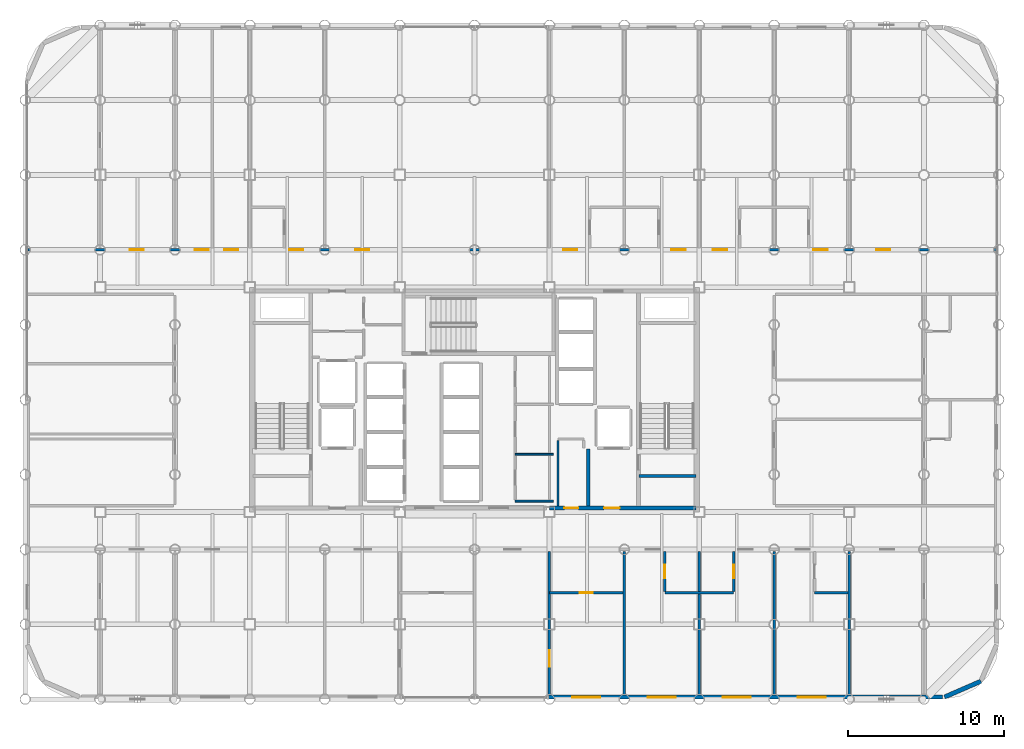
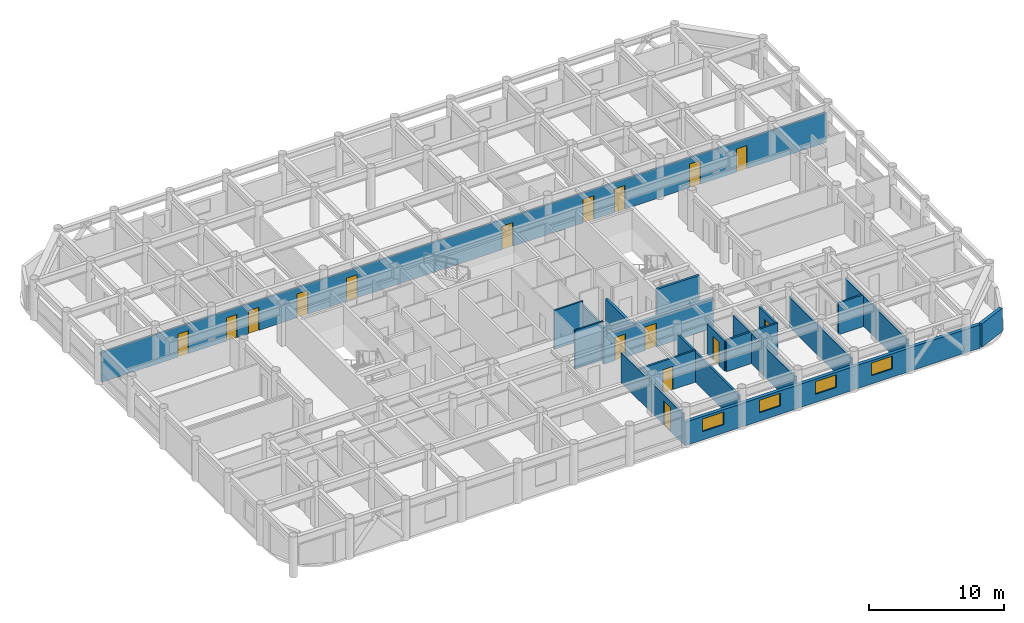
# One storey, part 19 of 22: 19 walls, 16 doors, 4 windows, 20 openings.
"""IFC4 building model written with IfcOpenShell, lengths in metres."""

from ifc_helpers import new_model, si_unit, direction, frame, frame_2d, origin, place, context, subcontext, project, spatial, rectangle, extrude, material, layer, layer_set, type_object, element, fill, save


model = new_model("IFC4")

# Units and contexts
model_context = context("Model", 3, precision=1e-05, world=origin(), true_north=direction((0.0, 1.0)))
body_context = subcontext(model_context, "Body", "Model", "MODEL_VIEW")
ifc_project = project(units=[si_unit("LENGTHUNIT", "METRE"), si_unit("AREAUNIT", "SQUARE_METRE"), si_unit("VOLUMEUNIT", "CUBIC_METRE"), si_unit("PLANEANGLEUNIT", "RADIAN"), si_unit("MASSUNIT", "GRAM", prefix="KILO")], contexts=[model_context])

# Site, building, storey
site_placement = place(None, origin())
site = spatial("IfcSite", under=ifc_project, at=site_placement, CompositionType="ELEMENT")
building_placement = place(site_placement, origin())
building = spatial("IfcBuilding", under=site, at=building_placement, Name="Kallvorn Hotel Tower", CompositionType="ELEMENT")
storey_placement = place(building_placement, frame((0.0, 0.0, 117.39990234375)))
storey = spatial("IfcBuildingStorey", under=building, at=storey_placement, Name="L28", CompositionType="ELEMENT", Elevation=117.39990234375)

# Wall, opening, door
ifc_material_1 = material(Name="Fire-rated double-layer acoustic gypsum drywall EI 60")
ifc_layer_1 = layer(ifc_material_1, 0.159912109375)
ifc_layer_set_1 = layer_set([ifc_layer_1], Name="WL_DEMISE_160")
wall_type_1 = type_object("IfcWallType", Name="WL_DEMISE_160", PredefinedType="PARTITIONING", material=ifc_layer_set_1)
wall_1_placement = place(storey_placement, frame((4.800048828125, -12.3798828125, 0.0), z_axis=(0.0, 0.0, 1.0), x_axis=(1.0, 0.0, 0.0)))
wall_1 = element("IfcWall", 1, at=wall_1_placement, inside=storey, type_object=wall_type_1, Name="L28 Suite 2804 Executive Bedroom Partition", PredefinedType="PARTITIONING", context=body_context, shape_type="SweptSolid", body=[
    extrude(rectangle(XDim=4.719970703125, YDim=0.159912109375, at=frame_2d((2.35986328125, 0.0))), origin(), (0.0, 0.0, 1.0), 2.8701171875),
])
opening_1_placement = place(wall_1_placement, frame((1.929931640625, 0.0, 0.0)))
opening_1 = element("IfcOpeningElement", 2, at=opening_1_placement, cuts=wall_1, Name="Opening BD-I", PredefinedType="OPENING", context=body_context, shape_type="SweptSolid", body=[
    extrude(rectangle(XDim=0.860107421875, YDim=2.10009765625, at=frame_2d((0.43017578125, 1.050048828125))), frame((0.0, 0.094970703125, 0.0), z_axis=(0.0, -1.0, 0.0), x_axis=(1.0, 0.0, 0.0)), (0.0, 0.0, 1.0), 0.18994140625),
])
ifc_material_2 = material(Name="Solid-core walnut veneer fire-rated timber door leaf", Category="wood")
door_type_1 = type_object("IfcDoorType", Name="DR_BATH_860x2100", OperationType="NOTDEFINED", PredefinedType="DOOR", material=ifc_material_2)
door_1_placement = place(opening_1_placement, origin())
door_1 = element("IfcDoor", 3, at=door_1_placement, inside=storey, type_object=door_type_1, Name="L28 Suite 2804 En-Suite Bathroom Door", OperationType="SINGLE_SWING_LEFT", OverallHeight=2.10009765625, OverallWidth=0.860107421875, PredefinedType="DOOR", context=body_context, shape_type="SweptSolid", body=[
    extrude(rectangle(XDim=0.860107421875, YDim=2.10009765625, at=frame_2d((0.43017578125, 1.050048828125))), frame((0.0, 0.02490234375, 0.0), z_axis=(0.0, -1.0, 0.0), x_axis=(1.0, 0.0, 0.0)), (0.0, 0.0, 1.0), 0.050048828125),
])
fill(opening_1, door_1)

# Walls
wall_2_placement = place(storey_placement, frame((12.18994140625, -12.3798828125, 0.0), z_axis=(0.0, 0.0, 1.0), x_axis=(1.0, 0.0, 0.0)))
element("IfcWall", 4, at=wall_2_placement, inside=storey, type_object=wall_type_1, Name="L28 Suite 2805 Deluxe King Room Partition", PredefinedType="PARTITIONING", context=body_context, shape_type="SweptSolid", body=[
    extrude(rectangle(XDim=4.420166015625, YDim=0.159912109375, at=frame_2d((2.2099609375, 0.0))), origin(), (0.0, 0.0, 1.0), 2.8701171875),
])
wall_3_placement = place(storey_placement, frame((21.7900390625, -12.3798828125, 0.0), z_axis=(0.0, 0.0, 1.0), x_axis=(1.0, 0.0, 0.0)))
element("IfcWall", 5, at=wall_3_placement, inside=storey, type_object=wall_type_1, Name="L28 Suite 2807 Deluxe King Room Partition", PredefinedType="PARTITIONING", context=body_context, shape_type="SweptSolid", body=[
    extrude(rectangle(XDim=2.1298828125, YDim=0.159912109375, at=frame_2d((1.06494140625, 0.0))), origin(), (0.0, 0.0, 1.0), 2.8701171875),
])

# Wall, openings, doors
wall_4_placement = place(storey_placement, frame((-28.6298828125, 9.60009765625, 0.0), z_axis=(0.0, 0.0, 1.0), x_axis=(1.0, 0.0, 0.0)))
wall_4 = element("IfcWall", 6, at=wall_4_placement, inside=storey, type_object=wall_type_1, Name="L28 Suite 2808 Standard Twin Room Partition", PredefinedType="PARTITIONING", context=body_context, shape_type="SweptSolid", body=[
    extrude(rectangle(XDim=62.059814453125, YDim=0.159912109375, at=frame_2d((31.02978515625, 0.0))), origin(), (0.0, 0.0, 1.0), 2.72021484375),
])
opening_2_placement = place(wall_4_placement, frame((6.5400390625, 0.0, 0.0)))
opening_2 = element("IfcOpeningElement", 7, at=opening_2_placement, cuts=wall_4, Name="Opening SVD1", PredefinedType="OPENING", context=body_context, shape_type="SweptSolid", body=[
    extrude(rectangle(XDim=0.89990234375, YDim=2.10009765625, at=frame_2d((0.449951171875, 1.050048828125))), frame((0.0, 0.094970703125, 0.0), z_axis=(0.0, -1.0, 0.0), x_axis=(1.0, 0.0, 0.0)), (0.0, 0.0, 1.0), 0.18994140625),
])
opening_3_placement = place(wall_4_placement, frame((54.360595703125, 0.0, 0.0)))
opening_3 = element("IfcOpeningElement", 8, at=opening_3_placement, cuts=wall_4, Name="Opening SVD1", PredefinedType="OPENING", context=body_context, shape_type="SweptSolid", body=[
    extrude(rectangle(XDim=0.89990234375, YDim=2.10009765625, at=frame_2d((0.449951171875, 1.050048828125))), frame((0.0, 0.094970703125, 0.0), z_axis=(0.0, -1.0, 0.0), x_axis=(1.0, 0.0, 0.0)), (0.0, 0.0, 1.0), 0.18994140625),
])
opening_4_placement = place(wall_4_placement, frame((10.68994140625, 0.0, 0.0)))
opening_4 = element("IfcOpeningElement", 9, at=opening_4_placement, cuts=wall_4, Name="Opening SVD1", PredefinedType="OPENING", context=body_context, shape_type="SweptSolid", body=[
    extrude(rectangle(XDim=0.89990234375, YDim=2.10009765625, at=frame_2d((0.449951171875, 1.050048828125))), frame((0.0, 0.094970703125, 0.0), z_axis=(0.0, -1.0, 0.0), x_axis=(1.0, 0.0, 0.0)), (0.0, 0.0, 1.0), 0.18994140625),
])
opening_5_placement = place(wall_4_placement, frame((12.580078125, 0.0, 0.0)))
opening_5 = element("IfcOpeningElement", 10, at=opening_5_placement, cuts=wall_4, Name="Opening SVD1", PredefinedType="OPENING", context=body_context, shape_type="SweptSolid", body=[
    extrude(rectangle(XDim=0.89990234375, YDim=2.10009765625, at=frame_2d((0.449951171875, 1.050048828125))), frame((0.0, 0.094970703125, 0.0), z_axis=(0.0, -1.0, 0.0), x_axis=(1.0, 0.0, 0.0)), (0.0, 0.0, 1.0), 0.18994140625),
])
opening_6_placement = place(wall_4_placement, frame((16.739990234375, 0.0, 0.0)))
opening_6 = element("IfcOpeningElement", 11, at=opening_6_placement, cuts=wall_4, Name="Opening GD1", PredefinedType="OPENING", context=body_context, shape_type="SweptSolid", body=[
    extrude(rectangle(XDim=0.919921875, YDim=2.14990234375, at=frame_2d((0.4599609375, 1.074951171875))), frame((0.0, 0.094970703125, 0.0), z_axis=(0.0, -1.0, 0.0), x_axis=(1.0, 0.0, 0.0)), (0.0, 0.0, 1.0), 0.18994140625),
])
opening_7_placement = place(wall_4_placement, frame((20.97998046875, 0.0, 0.0)))
opening_7 = element("IfcOpeningElement", 12, at=opening_7_placement, cuts=wall_4, Name="Opening SVD1", PredefinedType="OPENING", context=body_context, shape_type="SweptSolid", body=[
    extrude(rectangle(XDim=0.89990234375, YDim=2.10009765625, at=frame_2d((0.449951171875, 1.050048828125))), frame((0.0, 0.094970703125, 0.0), z_axis=(0.0, -1.0, 0.0), x_axis=(1.0, 0.0, 0.0)), (0.0, 0.0, 1.0), 0.18994140625),
])
opening_8_placement = place(wall_4_placement, frame((34.304931640625, 0.0, 0.0)))
opening_8 = element("IfcOpeningElement", 13, at=opening_8_placement, cuts=wall_4, Name="Opening GD1", PredefinedType="OPENING", context=body_context, shape_type="SweptSolid", body=[
    extrude(rectangle(XDim=0.919921875, YDim=2.14990234375, at=frame_2d((0.4599609375, 1.074951171875))), frame((0.0, 0.094970703125, 0.0), z_axis=(0.0, -1.0, 0.0), x_axis=(1.0, 0.0, 0.0)), (0.0, 0.0, 1.0), 0.18994140625),
])
opening_9_placement = place(wall_4_placement, frame((41.235107421875, 0.0, 0.0)))
opening_9 = element("IfcOpeningElement", 14, at=opening_9_placement, cuts=wall_4, Name="Opening GD1", PredefinedType="OPENING", context=body_context, shape_type="SweptSolid", body=[
    extrude(rectangle(XDim=0.919921875, YDim=2.14990234375, at=frame_2d((0.4599609375, 1.074951171875))), frame((0.0, 0.094970703125, 0.0), z_axis=(0.0, -1.0, 0.0), x_axis=(1.0, 0.0, 0.0)), (0.0, 0.0, 1.0), 0.18994140625),
])
opening_10_placement = place(wall_4_placement, frame((43.905029296875, 0.0, 0.0)))
opening_10 = element("IfcOpeningElement", 15, at=opening_10_placement, cuts=wall_4, Name="Opening GD1", PredefinedType="OPENING", context=body_context, shape_type="SweptSolid", body=[
    extrude(rectangle(XDim=0.919921875, YDim=2.14990234375, at=frame_2d((0.4599609375, 1.074951171875))), frame((0.0, 0.094970703125, 0.0), z_axis=(0.0, -1.0, 0.0), x_axis=(1.0, 0.0, 0.0)), (0.0, 0.0, 1.0), 0.18994140625),
])
opening_11_placement = place(wall_4_placement, frame((50.340087890625, 0.0, 0.0)))
opening_11 = element("IfcOpeningElement", 16, at=opening_11_placement, cuts=wall_4, Name="Opening GD1", PredefinedType="OPENING", context=body_context, shape_type="SweptSolid", body=[
    extrude(rectangle(XDim=0.919921875, YDim=2.14990234375, at=frame_2d((0.4599609375, 1.074951171875))), frame((0.0, 0.094970703125, 0.0), z_axis=(0.0, -1.0, 0.0), x_axis=(1.0, 0.0, 0.0)), (0.0, 0.0, 1.0), 0.18994140625),
])
ifc_material_3 = material(Name="Solid-core walnut veneer fire-rated timber door leaf", Category="wood")
door_type_2 = type_object("IfcDoorType", Name="DR_GUEST_920x2150", OperationType="NOTDEFINED", PredefinedType="DOOR", material=ifc_material_3)
door_2_placement = place(opening_6_placement, origin())
door_2 = element("IfcDoor", 17, at=door_2_placement, inside=storey, type_object=door_type_2, Name="L28 Suite 2808 Standard Twin Room Door", OperationType="SINGLE_SWING_RIGHT", OverallHeight=2.14990234375, OverallWidth=0.919921875, PredefinedType="DOOR", context=body_context, shape_type="SweptSolid", body=[
    extrude(rectangle(XDim=0.919921875, YDim=2.14990234375, at=frame_2d((0.4599609375, 1.074951171875))), frame((0.0, 0.02490234375, 0.0), z_axis=(0.0, -1.0, 0.0), x_axis=(1.0, 0.0, 0.0)), (0.0, 0.0, 1.0), 0.050048828125),
])
fill(opening_6, door_2)
door_3_placement = place(opening_8_placement, origin())
door_3 = element("IfcDoor", 18, at=door_3_placement, inside=storey, type_object=door_type_2, Name="L28 Suite 2809 Standard Twin Room Door", OperationType="SINGLE_SWING_LEFT", OverallHeight=2.14990234375, OverallWidth=0.919921875, PredefinedType="DOOR", context=body_context, shape_type="SweptSolid", body=[
    extrude(rectangle(XDim=0.919921875, YDim=2.14990234375, at=frame_2d((0.4599609375, 1.074951171875))), frame((0.0, 0.02490234375, 0.0), z_axis=(0.0, -1.0, 0.0), x_axis=(1.0, 0.0, 0.0)), (0.0, 0.0, 1.0), 0.050048828125),
])
fill(opening_8, door_3)
door_4_placement = place(opening_9_placement, origin())
door_4 = element("IfcDoor", 19, at=door_4_placement, inside=storey, type_object=door_type_2, Name="L28 Suite 2810 Standard Twin Room Door", OperationType="SINGLE_SWING_RIGHT", OverallHeight=2.14990234375, OverallWidth=0.919921875, PredefinedType="DOOR", context=body_context, shape_type="SweptSolid", body=[
    extrude(rectangle(XDim=0.919921875, YDim=2.14990234375, at=frame_2d((0.4599609375, 1.074951171875))), frame((0.0, 0.02490234375, 0.0), z_axis=(0.0, -1.0, 0.0), x_axis=(1.0, 0.0, 0.0)), (0.0, 0.0, 1.0), 0.050048828125),
])
fill(opening_9, door_4)
door_5_placement = place(opening_10_placement, origin())
door_5 = element("IfcDoor", 20, at=door_5_placement, inside=storey, type_object=door_type_2, Name="L28 Suite 2811 Standard Twin Room Door", OperationType="SINGLE_SWING_LEFT", OverallHeight=2.14990234375, OverallWidth=0.919921875, PredefinedType="DOOR", context=body_context, shape_type="SweptSolid", body=[
    extrude(rectangle(XDim=0.919921875, YDim=2.14990234375, at=frame_2d((0.4599609375, 1.074951171875))), frame((0.0, 0.02490234375, 0.0), z_axis=(0.0, -1.0, 0.0), x_axis=(1.0, 0.0, 0.0)), (0.0, 0.0, 1.0), 0.050048828125),
])
fill(opening_10, door_5)
door_6_placement = place(opening_11_placement, origin())
door_6 = element("IfcDoor", 21, at=door_6_placement, inside=storey, type_object=door_type_2, Name="L28 Suite 2812 Standard Twin Room Door", OperationType="SINGLE_SWING_RIGHT", OverallHeight=2.14990234375, OverallWidth=0.919921875, PredefinedType="DOOR", context=body_context, shape_type="SweptSolid", body=[
    extrude(rectangle(XDim=0.919921875, YDim=2.14990234375, at=frame_2d((0.4599609375, 1.074951171875))), frame((0.0, 0.02490234375, 0.0), z_axis=(0.0, -1.0, 0.0), x_axis=(1.0, 0.0, 0.0)), (0.0, 0.0, 1.0), 0.050048828125),
])
fill(opening_11, door_6)
ifc_material_4 = material(Name="Galvanised painted steel fire-rated door assembly", Category="steel")
door_type_3 = type_object("IfcDoorType", Name="DR_SERV_900x2100", OperationType="NOTDEFINED", PredefinedType="DOOR", material=ifc_material_4)
door_7_placement = place(opening_2_placement, origin())
door_7 = element("IfcDoor", 22, at=door_7_placement, inside=storey, type_object=door_type_3, Name="L28 L28 North-West Fitness Gymnasium B Door", OperationType="SINGLE_SWING_LEFT", OverallHeight=2.10009765625, OverallWidth=0.89990234375, PredefinedType="DOOR", context=body_context, shape_type="SweptSolid", body=[
    extrude(rectangle(XDim=0.89990234375, YDim=2.10009765625, at=frame_2d((0.449951171875, 1.050048828125))), frame((0.0, 0.02490234375, 0.0), z_axis=(0.0, -1.0, 0.0), x_axis=(1.0, 0.0, 0.0)), (0.0, 0.0, 1.0), 0.050048828125),
])
fill(opening_2, door_7)
door_8_placement = place(opening_3_placement, origin())
door_8 = element("IfcDoor", 23, at=door_8_placement, inside=storey, type_object=door_type_3, Name="L28 L28 North-East Reading Club Door", OperationType="SINGLE_SWING_LEFT", OverallHeight=2.10009765625, OverallWidth=0.89990234375, PredefinedType="DOOR", context=body_context, shape_type="SweptSolid", body=[
    extrude(rectangle(XDim=0.89990234375, YDim=2.10009765625, at=frame_2d((0.449951171875, 1.050048828125))), frame((0.0, 0.02490234375, 0.0), z_axis=(0.0, -1.0, 0.0), x_axis=(1.0, 0.0, 0.0)), (0.0, 0.0, 1.0), 0.050048828125),
])
fill(opening_3, door_8)
door_9_placement = place(opening_4_placement, origin())
door_9 = element("IfcDoor", 24, at=door_9_placement, inside=storey, type_object=door_type_3, Name="L28 Housekeeping and Linen Room Door", OperationType="SINGLE_SWING_LEFT", OverallHeight=2.10009765625, OverallWidth=0.89990234375, PredefinedType="DOOR", context=body_context, shape_type="SweptSolid", body=[
    extrude(rectangle(XDim=0.89990234375, YDim=2.10009765625, at=frame_2d((0.449951171875, 1.050048828125))), frame((0.0, 0.02490234375, 0.0), z_axis=(0.0, -1.0, 0.0), x_axis=(1.0, 0.0, 0.0)), (0.0, 0.0, 1.0), 0.050048828125),
])
fill(opening_4, door_9)
door_10_placement = place(opening_5_placement, origin())
door_10 = element("IfcDoor", 25, at=door_10_placement, inside=storey, type_object=door_type_3, Name="L28 Guest Tea and Refreshment Bar Door", OperationType="SINGLE_SWING_LEFT", OverallHeight=2.10009765625, OverallWidth=0.89990234375, PredefinedType="DOOR", context=body_context, shape_type="SweptSolid", body=[
    extrude(rectangle(XDim=0.89990234375, YDim=2.10009765625, at=frame_2d((0.449951171875, 1.050048828125))), frame((0.0, 0.02490234375, 0.0), z_axis=(0.0, -1.0, 0.0), x_axis=(1.0, 0.0, 0.0)), (0.0, 0.0, 1.0), 0.050048828125),
])
fill(opening_5, door_10)
door_11_placement = place(opening_7_placement, origin())
door_11 = element("IfcDoor", 26, at=door_11_placement, inside=storey, type_object=door_type_3, Name="L28 L28 Thermal Hydrotherapy Treatment Suite 3 Door", OperationType="SINGLE_SWING_RIGHT", OverallHeight=2.10009765625, OverallWidth=0.89990234375, PredefinedType="DOOR", context=body_context, shape_type="SweptSolid", body=[
    extrude(rectangle(XDim=0.89990234375, YDim=2.10009765625, at=frame_2d((0.449951171875, 1.050048828125))), frame((0.0, 0.02490234375, 0.0), z_axis=(0.0, -1.0, 0.0), x_axis=(1.0, 0.0, 0.0)), (0.0, 0.0, 1.0), 0.050048828125),
])
fill(opening_7, door_11)

# Wall, opening, door
wall_5_placement = place(storey_placement, frame((4.800048828125, -18.909912109375, 0.0), z_axis=(0.0, 0.0, 1.0), x_axis=(0.0, 1.0, 0.0)))
wall_5 = element("IfcWall", 27, at=wall_5_placement, inside=storey, type_object=wall_type_1, Name="L28 Suite 2804 Executive Bedroom Partition", PredefinedType="PARTITIONING", context=body_context, shape_type="SweptSolid", body=[
    extrude(rectangle(XDim=9.18994140625, YDim=0.159912109375, at=frame_2d((4.594970703125, 0.0))), origin(), (0.0, 0.0, 1.0), 2.72021484375),
])
opening_12_placement = place(wall_5_placement, frame((1.79296875, 0.0, 0.0)))
opening_12 = element("IfcOpeningElement", 28, at=opening_12_placement, cuts=wall_5, Name="Opening GD2", PredefinedType="OPENING", context=body_context, shape_type="SweptSolid", body=[
    extrude(rectangle(XDim=1.050048828125, YDim=2.199951171875, at=frame_2d((0.52490234375, 1.10009765625))), frame((0.0, 0.094970703125, 0.0), z_axis=(0.0, -1.0, 0.0), x_axis=(1.0, 0.0, 0.0)), (0.0, 0.0, 1.0), 0.18994140625),
])
ifc_material_5 = material(Name="Solid-core walnut veneer fire-rated timber door leaf", Category="wood")
door_type_4 = type_object("IfcDoorType", Name="DR_SUITE_1050x2200", OperationType="NOTDEFINED", PredefinedType="DOOR", material=ifc_material_5)
door_12_placement = place(opening_12_placement, origin())
door_12 = element("IfcDoor", 29, at=door_12_placement, inside=storey, type_object=door_type_4, Name="L28 Suite 2804 Executive Bedroom Door", OperationType="SINGLE_SWING_LEFT", OverallHeight=2.199951171875, OverallWidth=1.050048828125, PredefinedType="DOOR", context=body_context, shape_type="SweptSolid", body=[
    extrude(rectangle(XDim=1.050048828125, YDim=2.199951171875, at=frame_2d((0.52490234375, 1.10009765625))), frame((0.0, 0.02490234375, 0.0), z_axis=(0.0, -1.0, 0.0), x_axis=(1.0, 0.0, 0.0)), (0.0, 0.0, 1.0), 0.050048828125),
])
fill(opening_12, door_12)

# Wall
wall_6_placement = place(storey_placement, frame((9.60009765625, -18.909912109375, 0.0), z_axis=(0.0, 0.0, 1.0), x_axis=(0.0, 1.0, 0.0)))
element("IfcWall", 30, at=wall_6_placement, inside=storey, type_object=wall_type_1, Name="L28 Suite 2804 Executive Bedroom Partition", PredefinedType="PARTITIONING", context=body_context, shape_type="SweptSolid", body=[
    extrude(rectangle(XDim=9.18994140625, YDim=0.159912109375, at=frame_2d((4.594970703125, 0.0))), origin(), (0.0, 0.0, 1.0), 2.72021484375),
])

# Wall, opening, door
wall_7_placement = place(storey_placement, frame((12.18994140625, -12.294921875, 0.0), z_axis=(0.0, 0.0, 1.0), x_axis=(0.0, 1.0, 0.0)))
wall_7 = element("IfcWall", 31, at=wall_7_placement, inside=storey, type_object=wall_type_1, Name="L28 Suite 2805 Deluxe King Room Partition", PredefinedType="PARTITIONING", context=body_context, shape_type="SweptSolid", body=[
    extrude(rectangle(XDim=2.574951171875, YDim=0.159912109375, at=frame_2d((1.28759765625, 0.0))), origin(), (0.0, 0.0, 1.0), 2.72021484375),
])
opening_13_placement = place(wall_7_placement, frame((0.844970703125, 0.0, 0.0)))
opening_13 = element("IfcOpeningElement", 32, at=opening_13_placement, cuts=wall_7, Name="Opening BD-I", PredefinedType="OPENING", context=body_context, shape_type="SweptSolid", body=[
    extrude(rectangle(XDim=0.860107421875, YDim=2.10009765625, at=frame_2d((0.43017578125, 1.050048828125))), frame((0.0, 0.094970703125, 0.0), z_axis=(0.0, -1.0, 0.0), x_axis=(1.0, 0.0, 0.0)), (0.0, 0.0, 1.0), 0.18994140625),
])
door_13_placement = place(opening_13_placement, origin())
door_13 = element("IfcDoor", 33, at=door_13_placement, inside=storey, type_object=door_type_1, Name="L28 Suite 2805 En-Suite Bathroom Door", OperationType="SINGLE_SWING_RIGHT", OverallHeight=2.10009765625, OverallWidth=0.860107421875, PredefinedType="DOOR", context=body_context, shape_type="SweptSolid", body=[
    extrude(rectangle(XDim=0.860107421875, YDim=2.10009765625, at=frame_2d((0.43017578125, 1.050048828125))), frame((0.0, 0.02490234375, 0.0), z_axis=(0.0, -1.0, 0.0), x_axis=(1.0, 0.0, 0.0)), (0.0, 0.0, 1.0), 0.050048828125),
])
fill(opening_13, door_13)

# Wall
wall_8_placement = place(storey_placement, frame((14.39990234375, -18.909912109375, 0.0), z_axis=(0.0, 0.0, 1.0), x_axis=(0.0, 1.0, 0.0)))
element("IfcWall", 34, at=wall_8_placement, inside=storey, type_object=wall_type_1, Name="L28 Suite 2805 Deluxe King Room Partition", PredefinedType="PARTITIONING", context=body_context, shape_type="SweptSolid", body=[
    extrude(rectangle(XDim=9.18994140625, YDim=0.159912109375, at=frame_2d((4.594970703125, 0.0))), origin(), (0.0, 0.0, 1.0), 2.72021484375),
])

# Wall, opening, door
wall_9_placement = place(storey_placement, frame((16.610107421875, -12.294921875, 0.0), z_axis=(0.0, 0.0, 1.0), x_axis=(0.0, 1.0, 0.0)))
wall_9 = element("IfcWall", 35, at=wall_9_placement, inside=storey, type_object=wall_type_1, Name="L28 Suite 2806 Deluxe King Room Partition", PredefinedType="PARTITIONING", context=body_context, shape_type="SweptSolid", body=[
    extrude(rectangle(XDim=2.574951171875, YDim=0.159912109375, at=frame_2d((1.28759765625, 0.0))), origin(), (0.0, 0.0, 1.0), 2.72021484375),
])
opening_14_placement = place(wall_9_placement, frame((0.844970703125, 0.0, 0.0)))
opening_14 = element("IfcOpeningElement", 36, at=opening_14_placement, cuts=wall_9, Name="Opening BD-I", PredefinedType="OPENING", context=body_context, shape_type="SweptSolid", body=[
    extrude(rectangle(XDim=0.860107421875, YDim=2.10009765625, at=frame_2d((0.43017578125, 1.050048828125))), frame((0.0, 0.094970703125, 0.0), z_axis=(0.0, -1.0, 0.0), x_axis=(1.0, 0.0, 0.0)), (0.0, 0.0, 1.0), 0.18994140625),
])
door_14_placement = place(opening_14_placement, origin())
door_14 = element("IfcDoor", 37, at=door_14_placement, inside=storey, type_object=door_type_1, Name="L28 Suite 2806 En-Suite Bathroom Door", OperationType="SINGLE_SWING_LEFT", OverallHeight=2.10009765625, OverallWidth=0.860107421875, PredefinedType="DOOR", context=body_context, shape_type="SweptSolid", body=[
    extrude(rectangle(XDim=0.860107421875, YDim=2.10009765625, at=frame_2d((0.43017578125, 1.050048828125))), frame((0.0, 0.02490234375, 0.0), z_axis=(0.0, -1.0, 0.0), x_axis=(1.0, 0.0, 0.0)), (0.0, 0.0, 1.0), 0.050048828125),
])
fill(opening_14, door_14)

# Walls
for number, where, z_axis, x_axis, name in (
    (38, (19.199951171875, -18.909912109375, 0.0), (0.0, 0.0, 1.0), (0.0, 1.0, 0.0), "L28 Suite 2806 Deluxe King Room Partition"),
    (39, (24.0, -18.909912109375, 0.0), (0.0, 0.0, 1.0), (0.0, 1.0, 0.0), "L28 Suite 2807 Deluxe King Room Partition"),
):
    element("IfcWall", number, at=place(storey_placement, frame(where, z_axis=z_axis, x_axis=x_axis)), inside=storey, type_object=wall_type_1, Name=name, PredefinedType="PARTITIONING", context=body_context, shape_type="SweptSolid", body=[
        extrude(rectangle(XDim=9.18994140625, YDim=0.159912109375, at=frame_2d((4.594970703125, 0.0))), origin(), (0.0, 0.0, 1.0), 2.72021484375),
    ])
ifc_material_6 = material(Name="Precast basalt-clad insulated concrete wall C40/50", Category="masonry")
ifc_layer_2 = layer(ifc_material_6, 0.280029296875)
ifc_layer_set_2 = layer_set([ifc_layer_2], Name="WL_EXT_LOGGIA_280")
wall_type_2 = type_object("IfcWallType", Name="WL_EXT_LOGGIA_280", PredefinedType="SOLIDWALL", material=ifc_layer_set_2)
wall_10_placement = place(storey_placement, frame((30.120849609375, -19.057861328125, 0.0), z_axis=(0.0, 0.0, 1.0), x_axis=(0.917060872934, 0.398747232384, 0.0)))
element("IfcWall", 40, at=wall_10_placement, inside=storey, type_object=wall_type_2, Name="L28 Rounded Corner Exterior Wall SE1", PredefinedType="SOLIDWALL", context=body_context, shape_type="SweptSolid", body=[
    extrude(rectangle(XDim=2.5361328125, YDim=0.280029296875, at=frame_2d((1.26806640625, 0.0))), origin(), (0.0, 0.0, 1.0), 2.1201171875),
])

# Wall, openings, windows
wall_11_placement = place(storey_placement, frame((4.75, -19.06005859375, 0.0), z_axis=(0.0, 0.0, 1.0), x_axis=(1.0, 0.0, 0.0)))
wall_11 = element("IfcWall", 41, at=wall_11_placement, inside=storey, type_object=wall_type_2, Name="L28 Exterior Envelope Wall EW-L28-SE", PredefinedType="SOLIDWALL", context=body_context, shape_type="SweptSolid", body=[
    extrude(rectangle(XDim=25.25, YDim=0.280029296875, at=frame_2d((12.625, 0.0))), origin(), (0.0, 0.0, 1.0), 2.1201171875),
])
opening_15_placement = place(wall_11_placement, frame((1.510009765625, 0.0, 0.75)))
opening_15 = element("IfcOpeningElement", 42, at=opening_15_placement, cuts=wall_11, Name="Opening W04A", PredefinedType="OPENING", context=body_context, shape_type="SweptSolid", body=[
    extrude(rectangle(XDim=1.800048828125, YDim=1.14990234375, at=frame_2d((0.89990234375, 0.574951171875))), frame((0.0, 0.155029296875, 0.0), z_axis=(0.0, -1.0, 0.0), x_axis=(1.0, 0.0, 0.0)), (0.0, 0.0, 1.0), 0.31005859375),
])
opening_16_placement = place(wall_11_placement, frame((6.35009765625, 0.0, 0.75)))
opening_16 = element("IfcOpeningElement", 43, at=opening_16_placement, cuts=wall_11, Name="Opening W04A", PredefinedType="OPENING", context=body_context, shape_type="SweptSolid", body=[
    extrude(rectangle(XDim=1.800048828125, YDim=1.14990234375, at=frame_2d((0.89990234375, 0.574951171875))), frame((0.0, 0.155029296875, 0.0), z_axis=(0.0, -1.0, 0.0), x_axis=(1.0, 0.0, 0.0)), (0.0, 0.0, 1.0), 0.31005859375),
])
opening_17_placement = place(wall_11_placement, frame((11.14990234375, 0.0, 0.75)))
opening_17 = element("IfcOpeningElement", 44, at=opening_17_placement, cuts=wall_11, Name="Opening W04A", PredefinedType="OPENING", context=body_context, shape_type="SweptSolid", body=[
    extrude(rectangle(XDim=1.800048828125, YDim=1.14990234375, at=frame_2d((0.89990234375, 0.574951171875))), frame((0.0, 0.155029296875, 0.0), z_axis=(0.0, -1.0, 0.0), x_axis=(1.0, 0.0, 0.0)), (0.0, 0.0, 1.0), 0.31005859375),
])
opening_18_placement = place(wall_11_placement, frame((15.949951171875, 0.0, 0.75)))
opening_18 = element("IfcOpeningElement", 45, at=opening_18_placement, cuts=wall_11, Name="Opening W04A", PredefinedType="OPENING", context=body_context, shape_type="SweptSolid", body=[
    extrude(rectangle(XDim=1.800048828125, YDim=1.14990234375, at=frame_2d((0.89990234375, 0.574951171875))), frame((0.0, 0.155029296875, 0.0), z_axis=(0.0, -1.0, 0.0), x_axis=(1.0, 0.0, 0.0)), (0.0, 0.0, 1.0), 0.31005859375),
])
ifc_material_7 = material(Name="Double-glazed low-e solar-control dark glass", Category="glass")
window_type = type_object("IfcWindowType", Name="WN_HTL_1800x1150", PartitioningType="SINGLE_PANEL", PredefinedType="WINDOW", material=ifc_material_7)
window_1_placement = place(opening_15_placement, origin())
window_1 = element("IfcWindow", 46, at=window_1_placement, inside=storey, type_object=window_type, Name="L28 Guestroom Exterior Window 06", OverallHeight=1.14990234375, OverallWidth=1.800048828125, PartitioningType="SINGLE_PANEL", PredefinedType="WINDOW", context=body_context, shape_type="SweptSolid", body=[
    extrude(rectangle(XDim=1.800048828125, YDim=1.14990234375, at=frame_2d((0.89990234375, 0.574951171875))), frame((0.0, 0.030029296875, 0.0), z_axis=(0.0, -1.0, 0.0), x_axis=(1.0, 0.0, 0.0)), (0.0, 0.0, 1.0), 0.06005859375),
])
fill(opening_15, window_1)
window_2_placement = place(opening_16_placement, origin())
window_2 = element("IfcWindow", 47, at=window_2_placement, inside=storey, type_object=window_type, Name="L28 Guestroom Exterior Window 07", OverallHeight=1.14990234375, OverallWidth=1.800048828125, PartitioningType="SINGLE_PANEL", PredefinedType="WINDOW", context=body_context, shape_type="SweptSolid", body=[
    extrude(rectangle(XDim=1.800048828125, YDim=1.14990234375, at=frame_2d((0.89990234375, 0.574951171875))), frame((0.0, 0.030029296875, 0.0), z_axis=(0.0, -1.0, 0.0), x_axis=(1.0, 0.0, 0.0)), (0.0, 0.0, 1.0), 0.06005859375),
])
fill(opening_16, window_2)
window_3_placement = place(opening_17_placement, origin())
window_3 = element("IfcWindow", 48, at=window_3_placement, inside=storey, type_object=window_type, Name="L28 Guestroom Exterior Window 08", OverallHeight=1.14990234375, OverallWidth=1.800048828125, PartitioningType="SINGLE_PANEL", PredefinedType="WINDOW", context=body_context, shape_type="SweptSolid", body=[
    extrude(rectangle(XDim=1.800048828125, YDim=1.14990234375, at=frame_2d((0.89990234375, 0.574951171875))), frame((0.0, 0.030029296875, 0.0), z_axis=(0.0, -1.0, 0.0), x_axis=(1.0, 0.0, 0.0)), (0.0, 0.0, 1.0), 0.06005859375),
])
fill(opening_17, window_3)
window_4_placement = place(opening_18_placement, origin())
window_4 = element("IfcWindow", 49, at=window_4_placement, inside=storey, type_object=window_type, Name="L28 Guestroom Exterior Window 09", OverallHeight=1.14990234375, OverallWidth=1.800048828125, PartitioningType="SINGLE_PANEL", PredefinedType="WINDOW", context=body_context, shape_type="SweptSolid", body=[
    extrude(rectangle(XDim=1.800048828125, YDim=1.14990234375, at=frame_2d((0.89990234375, 0.574951171875))), frame((0.0, 0.030029296875, 0.0), z_axis=(0.0, -1.0, 0.0), x_axis=(1.0, 0.0, 0.0)), (0.0, 0.0, 1.0), 0.06005859375),
])
fill(opening_18, window_4)

# Walls
ifc_material_8 = material(Name="Concrete C40/50", Category="concrete")
ifc_layer_3 = layer(ifc_material_8, 0.219970703125)
ifc_layer_set_3 = layer_set([ifc_layer_3], Name="WL_FFL_220")
wall_type_3 = type_object("IfcWallType", Name="WL_FFL_220", PredefinedType="SOLIDWALL", material=ifc_layer_set_3)
wall_12_placement = place(storey_placement, frame((7.300048828125, -6.820068359375, 0.0), z_axis=(0.0, 0.0, 1.0), x_axis=(0.0, 1.0, 0.0)))
element("IfcWall", 50, at=wall_12_placement, inside=storey, type_object=wall_type_3, Name="L28 Firefighting Lobby East Divider Wall", PredefinedType="SOLIDWALL", context=body_context, shape_type="SweptSolid", body=[
    extrude(rectangle(XDim=3.670166015625, YDim=0.219970703125, at=frame_2d((1.8349609375, 0.0))), origin(), (0.0, 0.0, 1.0), 2.72021484375),
])
ifc_material_9 = material(Name="Concrete C40/50", Category="concrete")
ifc_layer_4 = layer(ifc_material_9, 0.199951171875)
ifc_layer_set_4 = layer_set([ifc_layer_4], Name="WL_HOIST_200")
wall_type_4 = type_object("IfcWallType", Name="WL_HOIST_200", PredefinedType="SOLIDWALL", material=ifc_layer_set_4)
wall_13_placement = place(storey_placement, frame((10.550048828125, -4.89990234375, -0.179931640625), z_axis=(0.0, 0.0, 1.0), x_axis=(1.0, 0.0, 0.0)))
element("IfcWall", 51, at=wall_13_placement, inside=storey, type_object=wall_type_4, Name="L28 Stair ST2 South Wall", PredefinedType="SOLIDWALL", context=body_context, shape_type="SweptSolid", body=[
    extrude(rectangle(XDim=3.64990234375, YDim=0.199951171875, at=frame_2d((1.824951171875, 0.0))), origin(), (0.0, 0.0, 1.0), 3.699951171875),
])
ifc_material_10 = material(Name="Fire-rated double-layer acoustic gypsum drywall EI 60")
ifc_layer_5 = layer(ifc_material_10, 0.1201171875)
ifc_layer_set_5 = layer_set([ifc_layer_5], Name="WL_INT_120")
wall_type_5 = type_object("IfcWallType", Name="WL_INT_120", PredefinedType="PARTITIONING", material=ifc_layer_set_5)
for number, where, z_axis, x_axis, name in (
    (52, (2.60009765625, -6.5, 0.0), (0.0, 0.0, 1.0), (1.0, 0.0, 0.0), "L28 East Core Minibar Store Partition"),
    (53, (2.60009765625, -3.5, 0.0), (0.0, 0.0, 1.0), (1.0, 0.0, 0.0), "L28 East Core Housekeeping Supply Closet Partition"),
):
    element("IfcWall", number, at=place(storey_placement, frame(where, z_axis=z_axis, x_axis=x_axis)), inside=storey, type_object=wall_type_5, Name=name, PredefinedType="PARTITIONING", context=body_context, shape_type="SweptSolid", body=[
        extrude(rectangle(XDim=2.449951171875, YDim=0.1201171875, at=frame_2d((1.22509765625, 0.0))), origin(), (0.0, 0.0, 1.0), 3.52001953125),
    ])
ifc_material_11 = material(Name="Moisture-resistant acoustic plumbing chase wall EI 60")
ifc_layer_6 = layer(ifc_material_11, 0.139892578125)
ifc_layer_set_6 = layer_set([ifc_layer_6], Name="WL_PLUMB_140")
wall_type_6 = type_object("IfcWallType", Name="WL_PLUMB_140", PredefinedType="PLUMBINGWALL", material=ifc_layer_set_6)
wall_14_placement = place(storey_placement, frame((5.35009765625, -6.800048828125, 0.0), z_axis=(0.0, 0.0, 1.0), x_axis=(0.0, 1.0, 0.0)))
element("IfcWall", 54, at=wall_14_placement, inside=storey, type_object=wall_type_6, Name="L28 Core Accessible Staff WC Partition", PredefinedType="PLUMBINGWALL", context=body_context, shape_type="SweptSolid", body=[
    extrude(rectangle(XDim=4.18994140625, YDim=0.139892578125, at=frame_2d((2.094970703125, 0.0))), origin(), (0.0, 0.0, 1.0), 2.72021484375),
])

# Wall, openings, doors
ifc_material_12 = material(Name="Concrete C40/50", Category="concrete")
ifc_layer_7 = layer(ifc_material_12, 0.25)
ifc_layer_set_7 = layer_set([ifc_layer_7], Name="WL_SHAFT_250")
wall_type_7 = type_object("IfcWallType", Name="WL_SHAFT_250", PredefinedType="SOLIDWALL", material=ifc_layer_set_7)
wall_15_placement = place(storey_placement, frame((4.800048828125, -6.949951171875, 0.0), z_axis=(0.0, 0.0, 1.0), x_axis=(1.0, 0.0, 0.0)))
wall_15 = element("IfcWall", 55, at=wall_15_placement, inside=storey, type_object=wall_type_7, Name="L28 Core South-East Wall", PredefinedType="SOLIDWALL", context=body_context, shape_type="SweptSolid", body=[
    extrude(rectangle(XDim=9.39990234375, YDim=0.25, at=frame_2d((4.699951171875, 0.0))), origin(), (0.0, 0.0, 1.0), 2.72021484375),
])
opening_19_placement = place(wall_15_placement, frame((3.5, 0.0, 0.0)))
opening_19 = element("IfcOpeningElement", 56, at=opening_19_placement, cuts=wall_15, Name="Opening FD1", PredefinedType="OPENING", context=body_context, shape_type="SweptSolid", body=[
    extrude(rectangle(XDim=1.0, YDim=2.14990234375, at=frame_2d((0.5, 1.074951171875))), frame((0.0, 0.139892578125, 0.0), z_axis=(0.0, -1.0, 0.0), x_axis=(1.0, 0.0, 0.0)), (0.0, 0.0, 1.0), 0.280029296875),
])
opening_20_placement = place(wall_15_placement, frame((0.949951171875, 0.0, 0.0)))
opening_20 = element("IfcOpeningElement", 57, at=opening_20_placement, cuts=wall_15, Name="Opening SVD1", PredefinedType="OPENING", context=body_context, shape_type="SweptSolid", body=[
    extrude(rectangle(XDim=0.89990234375, YDim=2.10009765625, at=frame_2d((0.449951171875, 1.050048828125))), frame((0.0, 0.139892578125, 0.0), z_axis=(0.0, -1.0, 0.0), x_axis=(1.0, 0.0, 0.0)), (0.0, 0.0, 1.0), 0.280029296875),
])
ifc_material_13 = material(Name="Galvanised painted steel fire-rated door assembly", Category="steel")
door_type_5 = type_object("IfcDoorType", Name="DR_FFL_1000x2150", OperationType="NOTDEFINED", PredefinedType="DOOR", material=ifc_material_13)
door_15_placement = place(opening_19_placement, origin())
door_15 = element("IfcDoor", 58, at=door_15_placement, inside=storey, type_object=door_type_5, Name="L28 Firefighting Lobby East Door", OperationType="SINGLE_SWING_RIGHT", OverallHeight=2.14990234375, OverallWidth=1.0, PredefinedType="DOOR", context=body_context, shape_type="SweptSolid", body=[
    extrude(rectangle(XDim=1.0, YDim=2.14990234375, at=frame_2d((0.5, 1.074951171875))), frame((0.0, 0.02490234375, 0.0), z_axis=(0.0, -1.0, 0.0), x_axis=(1.0, 0.0, 0.0)), (0.0, 0.0, 1.0), 0.050048828125),
])
fill(opening_19, door_15)
door_16_placement = place(opening_20_placement, origin())
door_16 = element("IfcDoor", 59, at=door_16_placement, inside=storey, type_object=door_type_3, Name="L28 Core Accessible Staff WC Door", OperationType="SINGLE_SWING_RIGHT", OverallHeight=2.10009765625, OverallWidth=0.89990234375, PredefinedType="DOOR", context=body_context, shape_type="SweptSolid", body=[
    extrude(rectangle(XDim=0.89990234375, YDim=2.10009765625, at=frame_2d((0.449951171875, 1.050048828125))), frame((0.0, 0.02490234375, 0.0), z_axis=(0.0, -1.0, 0.0), x_axis=(1.0, 0.0, 0.0)), (0.0, 0.0, 1.0), 0.050048828125),
])
fill(opening_20, door_16)

save(model, "model.ifc")
